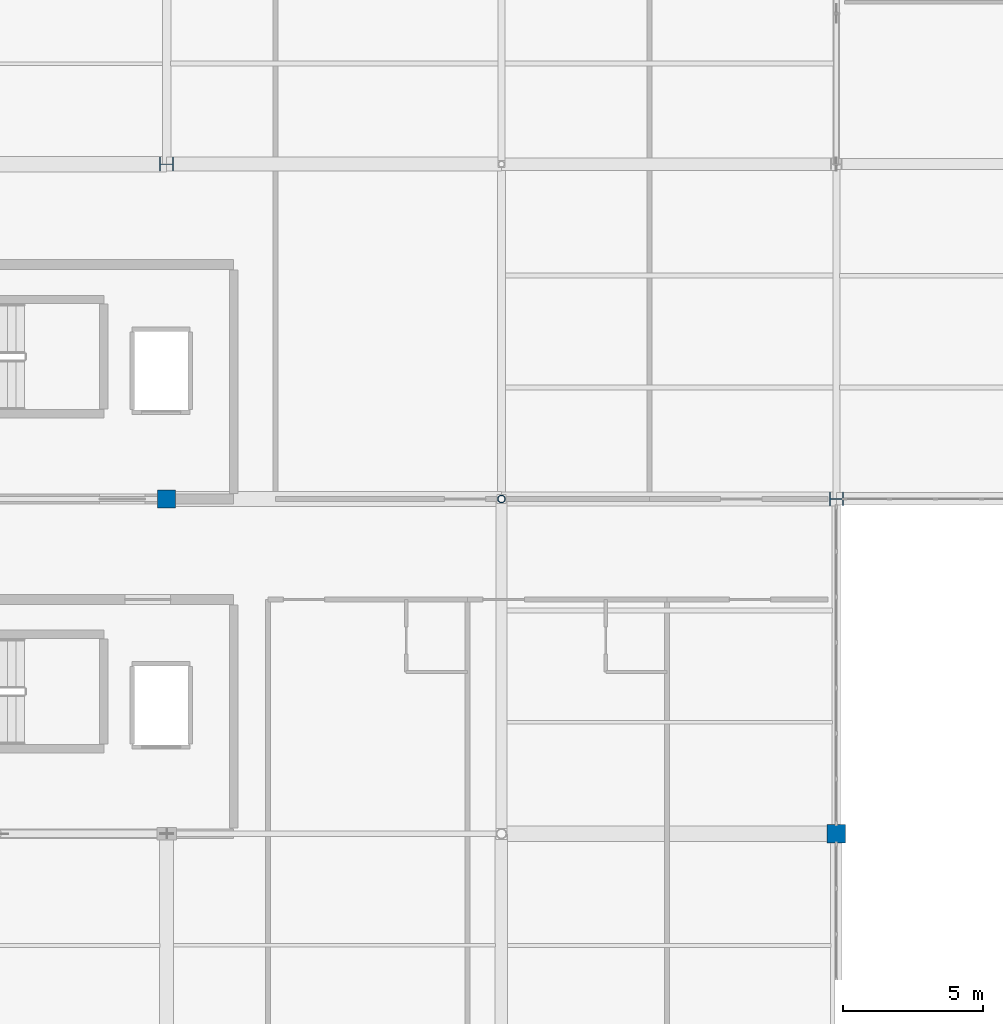
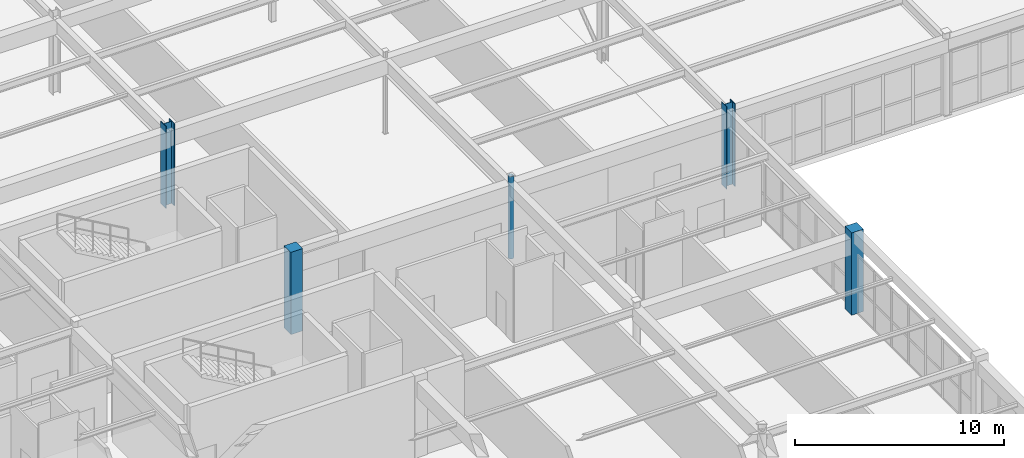
# One storey, part 20 of 226: 5 columns.
"""IFC4 building model written with IfcOpenShell, lengths in metres."""

import ifcopenshell
import ifcopenshell.guid

model = None  # the IFC model being written
_history = None  # IfcOwnerHistory: only IFC2X3 demands one
_inside = {}  # id of a spatial element -> (the spatial element, [elements in it])
_under = {}  # id of a project, library or spatial element -> (it, [spatial elements below it])
_declared = {}  # id of a project -> (the project, [libraries it declares])
_typed = {}  # id of a type object -> (the type object, [elements of that type])
_made_of = {}  # id of a material, layer set ... -> (it, [elements and type objects made of it])


def new_model(schema):
    """Start an empty IFC model of exactly this schema.

    Asked for "IFC4X3", IfcOpenShell would pick the latest addendum, in which some entities
    have other attributes; the version numbers below select the first issue.
    IFC2X3 requires an IfcOwnerHistory on every rooted entity: one is made here for all.
    """
    global model, _history
    if schema == "IFC4X3":
        model = ifcopenshell.file(schema_version=(4, 3, 0, 0))
    else:
        model = ifcopenshell.file(schema=schema)
    _inside.clear()
    _under.clear()
    _declared.clear()
    _typed.clear()
    _made_of.clear()
    _history = None
    if model.schema == "IFC2X3":
        org = make("IfcOrganization", Name="unknown")
        user = make(
            "IfcPersonAndOrganization",
            ThePerson=make("IfcPerson", FamilyName="unknown"),
            TheOrganization=org,
        )
        app = make(
            "IfcApplication",
            ApplicationDeveloper=org,
            Version="unknown",
            ApplicationFullName="unknown",
            ApplicationIdentifier="unknown",
        )
        _history = make(
            "IfcOwnerHistory",
            OwningUser=user,
            OwningApplication=app,
            ChangeAction="ADDED",
            CreationDate=0,
        )
    return model


def make(cls, **values):
    """One entity of the class cls with the attributes given. An attribute that is None is left unset."""
    return model.create_entity(
        cls, **{name: value for name, value in values.items() if value is not None}
    )


def rooted(cls, **values):
    """An entity with a GlobalId (a new one), such as an element, a storey or a relation."""
    return make(cls, GlobalId=ifcopenshell.guid.new(), OwnerHistory=_history, **values)


def si_unit(unit_type, name, prefix=None):
    """IfcSIUnit, for example si_unit("LENGTHUNIT", "METRE", prefix="MILLI")."""
    return make("IfcSIUnit", UnitType=unit_type, Prefix=prefix, Name=name)


def assignment(units):
    """IfcUnitAssignment: the units of a project."""
    return None if units is None else make("IfcUnitAssignment", Units=units)


def point(xyz):
    """IfcCartesianPoint."""
    return None if xyz is None else make("IfcCartesianPoint", Coordinates=xyz)


def direction(xyz):
    """IfcDirection."""
    return None if xyz is None else make("IfcDirection", DirectionRatios=xyz)


def frame(location, z_axis=None, x_axis=None):
    """IfcAxis2Placement3D, a coordinate frame: its origin and axes. An axis left out is left unset."""
    return make(
        "IfcAxis2Placement3D",
        Location=point(location),
        Axis=direction(z_axis),
        RefDirection=direction(x_axis),
    )


def frame_2d(location, x_axis=None):
    """IfcAxis2Placement2D, a coordinate frame in the plane: its origin and x axis."""
    return make(
        "IfcAxis2Placement2D", Location=point(location), RefDirection=direction(x_axis)
    )


def origin():
    """The frame at (0, 0, 0) with its axes left unset."""
    return frame((0.0, 0.0, 0.0))


def origin_2d():
    """The frame at (0, 0) in the plane with its x axis left unset."""
    return frame_2d((0.0, 0.0))


def place(relative_to, where):
    """IfcLocalPlacement: puts the frame where relative to a parent placement (None: the world)."""
    return make(
        "IfcLocalPlacement", PlacementRelTo=relative_to, RelativePlacement=where
    )


def context(
    kind, dimensions, precision=None, world=None, true_north=None, identifier=None
):
    """IfcGeometricRepresentationContext, for example the 3D "Model" context."""
    return make(
        "IfcGeometricRepresentationContext",
        ContextIdentifier=identifier,
        ContextType=kind,
        CoordinateSpaceDimension=dimensions,
        Precision=precision,
        WorldCoordinateSystem=world,
        TrueNorth=true_north,
    )


def subcontext(parent, identifier, kind, view, scale=None):
    """IfcGeometricRepresentationSubContext, for example "Body" below "Model"."""
    return make(
        "IfcGeometricRepresentationSubContext",
        ContextIdentifier=identifier,
        ContextType=kind,
        ParentContext=parent,
        TargetScale=scale,
        TargetView=view,
    )


def project(units=None, contexts=None):
    """IfcProject with its units and contexts."""
    return rooted(
        "IfcProject",
        Name="project",
        RepresentationContexts=contexts,
        UnitsInContext=assignment(units),
    )


def spatial(cls, under=None, at=None, **own):
    """A site, building, storey or space (cls), placed at a placement, below another one or the project."""
    s = rooted(cls, ObjectPlacement=at, **own)
    if under is not None:
        _under.setdefault(under.id(), (under, []))[1].append(s)
    return s


def profile(cls, at=None, kind="AREA", **sizes):
    """A parametric profile (cls). Its sizes go by their IFC names, for example OverallWidth=200.0."""
    return make(cls, ProfileType=kind, Position=at, **sizes)


def rectangle(**sizes):
    """IfcRectangleProfileDef."""
    return profile("IfcRectangleProfileDef", **sizes)


def hollow_circle(**sizes):
    """IfcCircleHollowProfileDef."""
    return profile("IfcCircleHollowProfileDef", **sizes)


def i_section(**sizes):
    """IfcIShapeProfileDef."""
    return profile("IfcIShapeProfileDef", **sizes)


def extrude(swept, where, along, depth):
    """IfcExtrudedAreaSolid: the profile swept, set in the frame where, extruded along a direction by depth."""
    return make(
        "IfcExtrudedAreaSolid",
        SweptArea=swept,
        Position=where,
        ExtrudedDirection=direction(along),
        Depth=depth,
    )


def shape(context_of_items, identifier, shape_type, items):
    """IfcShapeRepresentation: the items that make up one representation, for example the "Body"."""
    return make(
        "IfcShapeRepresentation",
        ContextOfItems=context_of_items,
        RepresentationIdentifier=identifier,
        RepresentationType=shape_type,
        Items=items,
    )


def material(Name=None, Category=None):
    """IfcMaterial."""
    return make("IfcMaterial", Name=Name, Category=Category)


def material_profile(
    of_material, cross_section, Name=None, Category=None, Priority=None
):
    """IfcMaterialProfile: a cross section and its material."""
    return make(
        "IfcMaterialProfile",
        Name=Name,
        Material=of_material,
        Profile=cross_section,
        Priority=Priority,
        Category=Category,
    )


def profile_set(profiles, Name=None, composite=None):
    """IfcMaterialProfileSet."""
    return make(
        "IfcMaterialProfileSet",
        Name=Name,
        MaterialProfiles=profiles,
        CompositeProfile=composite,
    )


def made_of(thing, what):
    """Note that an element or type object is made of a material, layer set ...; save() writes the relation."""
    if what is not None:
        _made_of.setdefault(what.id(), (what, []))[1].append(thing)
    return thing


def type_object(cls, material=None, **own):
    """A type object (cls), such as IfcWallType, which elements share."""
    return made_of(rooted(cls, **own), material)


def element(
    cls,
    number,
    at=None,
    inside=None,
    cuts=None,
    type_object=None,
    material=None,
    context=None,
    identifier="Body",
    shape_type=None,
    held_by="IfcProductDefinitionShape",
    body=None,
    shapes=None,
    **own,
):
    """One element of the class cls, such as IfcWall. Its Tag is "e" and its number.

    at: its placement. inside: the storey or other place that contains it. cuts: it is an
    opening in that element (IfcRelVoidsElement). A single representation is given by context,
    identifier, shape_type and body (its items); several are given by shapes. held_by: the class
    of the entity that holds the representations. save() writes the other relations.
    """
    e = rooted(cls, Tag="e%d" % number, ObjectPlacement=at, **own)
    if body is not None:
        shapes = [shape(context, identifier, shape_type, body)]
    if shapes is not None:
        e.Representation = make(held_by, Representations=shapes)
    if inside is not None:
        _inside.setdefault(inside.id(), (inside, []))[1].append(e)
    if cuts is not None:
        rooted(
            "IfcRelVoidsElement", RelatingBuildingElement=cuts, RelatedOpeningElement=e
        )
    if type_object is not None:
        _typed.setdefault(type_object.id(), (type_object, []))[1].append(e)
    return made_of(e, material)


def aggregate(whole, parts):
    """IfcRelAggregates: a whole, such as a stair, and the parts it consists of."""
    return rooted("IfcRelAggregates", RelatingObject=whole, RelatedObjects=parts)


def save(model, path):
    """Write the relations noted so far, then the file.

    IfcRelAggregates (storeys below a building ...), IfcRelContainedInSpatialStructure (elements
    in a storey), IfcRelDefinesByType, IfcRelAssociatesMaterial and IfcRelDeclares: one each for
    every whole, place, type object, material and project.
    """
    for whole, parts in _under.values():
        aggregate(whole, parts)
    for where, things in _inside.values():
        rooted(
            "IfcRelContainedInSpatialStructure",
            RelatedElements=things,
            RelatingStructure=where,
        )
    for kind, things in _typed.values():
        rooted("IfcRelDefinesByType", RelatedObjects=things, RelatingType=kind)
    for what, things in _made_of.values():
        rooted("IfcRelAssociatesMaterial", RelatedObjects=things, RelatingMaterial=what)
    for by, libraries in _declared.values():
        rooted("IfcRelDeclares", RelatingContext=by, RelatedDefinitions=libraries)
    model.write(path)


model = new_model("IFC4")

# Units and contexts
model_context = context("Model", 3, precision=1e-05, world=origin(), true_north=direction((0.0, 1.0)))
body_context = subcontext(model_context, "Body", "Model", "MODEL_VIEW")
ifc_project = project(units=[si_unit("LENGTHUNIT", "METRE"), si_unit("AREAUNIT", "SQUARE_METRE"), si_unit("VOLUMEUNIT", "CUBIC_METRE"), si_unit("PLANEANGLEUNIT", "RADIAN"), si_unit("MASSUNIT", "GRAM", prefix="KILO")], contexts=[model_context])

# Site, building, storey
site_placement = place(None, origin())
site = spatial("IfcSite", under=ifc_project, at=site_placement, CompositionType="ELEMENT")
building_placement = place(site_placement, origin())
building = spatial("IfcBuilding", under=site, at=building_placement, Name="Tarnwether General Hospital", CompositionType="ELEMENT")
storey_placement = place(building_placement, frame((0.0, 0.0, 4.800048828125)))
storey = spatial("IfcBuildingStorey", under=building, at=storey_placement, Name="L01", CompositionType="ELEMENT", Elevation=4.800048828125)

# Columns
ifc_material_1 = material(Name="Steel Grade 350 (350 MPa)", Category="steel")
ifc_material_profile_1 = material_profile(ifc_material_1, i_section(OverallWidth=0.5, OverallDepth=0.5, WebThickness=0.02197265625, FlangeThickness=0.035888671875, at=origin_2d()), Name="500WC380")
ifc_profile_set_1 = profile_set([ifc_material_profile_1], Name="Steel Grade 350 (350 MPa)")
column_type_1 = type_object("IfcColumnType", Name="COL-01", PredefinedType="COLUMN", material=ifc_profile_set_1)
for number, where, z_axis, x_axis, name in (
    (1, (36.0, 93.60009765625, 0.0), (0.0, 0.0, 1.0), (0.0, 1.0, 0.0), "Column COLG-L01-3600_9360"),
    (2, (60.0, 81.60009765625, 0.0), (0.0, 0.0, 1.0), (0.0, 1.0, 0.0), "Column COLG-L01-6000_8160"),
):
    element("IfcColumn", number, at=place(storey_placement, frame(where, z_axis=z_axis, x_axis=x_axis)), inside=storey, type_object=column_type_1, Name=name, PredefinedType="COLUMN", context=body_context, shape_type="SweptSolid", body=[
        extrude(i_section(OverallWidth=0.5, OverallDepth=0.5, WebThickness=0.02197265625, FlangeThickness=0.035888671875, at=origin_2d()), origin(), (0.0, 0.0, 1.0), 4.800048828125),
    ])
ifc_material_2 = material(Name="Steel Grade C350L0 (350 MPa)", Category="steel")
ifc_material_profile_2 = material_profile(ifc_material_2, hollow_circle(Radius=0.136474609375, WallThickness=0.0126953125, at=origin_2d()), Name="CHS273.1x12.7")
ifc_profile_set_2 = profile_set([ifc_material_profile_2], Name="Steel Grade C350L0 (350 MPa)")
column_type_2 = type_object("IfcColumnType", Name="COL-12", PredefinedType="COLUMN", material=ifc_profile_set_2)
column_placement = place(storey_placement, frame((48.0, 81.60009765625, 0.0), z_axis=(0.0, 0.0, 1.0), x_axis=(1.0, 0.0, 0.0)))
element("IfcColumn", 3, at=column_placement, inside=storey, type_object=column_type_2, Name="Column COLG-L01-4800_8160", PredefinedType="COLUMN", context=body_context, shape_type="SweptSolid", body=[
    extrude(hollow_circle(Radius=0.136474609375, WallThickness=0.0126953125, at=origin_2d()), origin(), (0.0, 0.0, 1.0), 4.800048828125),
])
ifc_material_3 = material(Name="Concrete 50 MPa", Category="concrete")
ifc_material_profile_3 = material_profile(ifc_material_3, rectangle(XDim=0.64990234375, YDim=0.64990234375, at=origin_2d()), Name="RC-COL-650x650")
ifc_profile_set_3 = profile_set([ifc_material_profile_3], Name="Concrete 50 MPa")
column_type_3 = type_object("IfcColumnType", Name="COL-35", PredefinedType="COLUMN", material=ifc_profile_set_3)
for number, where, z_axis, x_axis, name in (
    (4, (36.0, 81.60009765625, 0.0), (0.0, 0.0, 1.0), (0.0, 1.0, 0.0), "Column COLG-L01-3600_8160"),
    (5, (60.0, 69.60009765625, 0.0), (0.0, 0.0, 1.0), (0.0, 1.0, 0.0), "Column COLG-L01-6000_6960"),
):
    element("IfcColumn", number, at=place(storey_placement, frame(where, z_axis=z_axis, x_axis=x_axis)), inside=storey, type_object=column_type_3, Name=name, PredefinedType="COLUMN", context=body_context, shape_type="SweptSolid", body=[
        extrude(rectangle(XDim=0.64990234375, YDim=0.64990234375, at=origin_2d()), origin(), (0.0, 0.0, 1.0), 4.800048828125),
    ])

save(model, "model.ifc")
